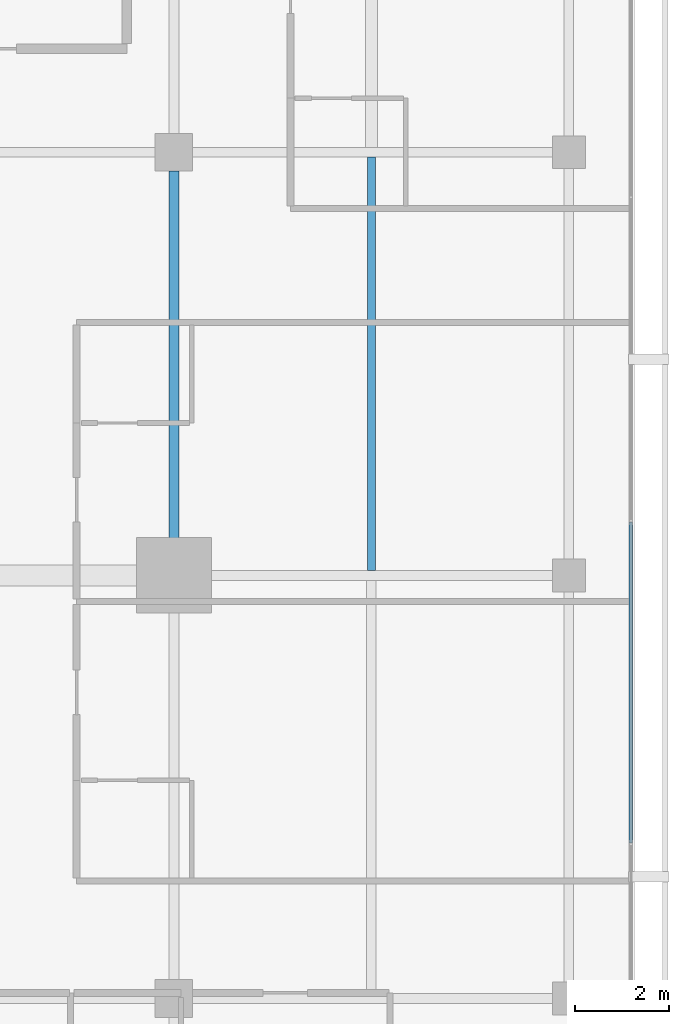
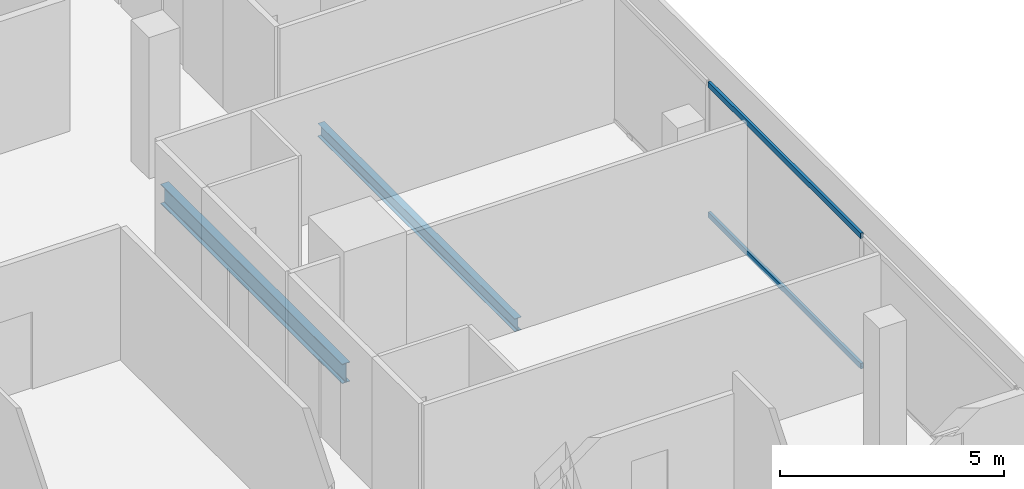
# One storey, part 13 of 25: 2 beams, 2 members, 1 element without a shape of its own.
"""IFC4 building model written with IfcOpenShell, lengths in metres."""

from ifc_helpers import new_model, si_unit, direction, frame, origin, origin_2d, place, context, subcontext, project, spatial, hollow_rectangle, i_section, extrude, material, layer, layer_set, material_profile, profile_set, type_object, element, aggregate, save


model = new_model("IFC4")

# Units and contexts
model_context = context("Model", 3, precision=1e-05, world=origin(), true_north=direction((0.0, 1.0)))
body_context = subcontext(model_context, "Body", "Model", "MODEL_VIEW")
ifc_project = project(units=[si_unit("LENGTHUNIT", "METRE"), si_unit("AREAUNIT", "SQUARE_METRE"), si_unit("VOLUMEUNIT", "CUBIC_METRE"), si_unit("PLANEANGLEUNIT", "RADIAN"), si_unit("MASSUNIT", "GRAM", prefix="KILO")], contexts=[model_context])

# Site, building, storey
site_placement = place(None, origin())
site = spatial("IfcSite", under=ifc_project, at=site_placement, CompositionType="ELEMENT")
building_placement = place(site_placement, origin())
building = spatial("IfcBuilding", under=site, at=building_placement, Name="Maruvema Waterfront Hotel and Observation Tower", CompositionType="ELEMENT")
storey_placement = place(building_placement, frame((0.0, 0.0, 262.5)))
storey = spatial("IfcBuildingStorey", under=building, at=storey_placement, Name="L64", CompositionType="ELEMENT", Elevation=262.5)

# Curtain wall, members
ifc_material_1 = material(Name="Anodised bronze aluminium and solar-control low-E IGU", Category="aluminium")
ifc_layer = layer(ifc_material_1, 0.159912109375, Name="Zone 3 Champagne Inner Thermal Curtain Wall System CW-04")
ifc_layer_set = layer_set([ifc_layer], Name="Anodised bronze aluminium and solar-control low-E IGU")
curtain_wall_type = type_object("IfcCurtainWallType", Name="Zone 3 Champagne Inner Thermal Curtain Wall System CW-04", PredefinedType="USERDEFINED", material=ifc_layer_set)
curtain_wall_placement = place(storey_placement, origin())
curtain_wall = element("IfcCurtainWall", 1, at=curtain_wall_placement, inside=storey, type_object=curtain_wall_type, Name="L64 Curtain Wall CW-L64-E", ObjectType="UNITISED CURTAIN WALL", PredefinedType="USERDEFINED")
ifc_material_2 = material(Name="Anodised architectural bronze aluminium", Category="aluminium")
ifc_material_profile_1 = material_profile(ifc_material_2, hollow_rectangle(XDim=0.070068359375, YDim=0.14990234375, WallThickness=0.00390625, at=origin_2d()), Name="ALU-T70x150")
ifc_profile_set_1 = profile_set([ifc_material_profile_1], Name="Anodised architectural bronze aluminium")
member_type = type_object("IfcMemberType", Name="Curtain Wall Horizontal Transom ALU-T70x150", PredefinedType="USERDEFINED", material=ifc_profile_set_1)
member_1_placement = place(storey_placement, frame((60.1201171875, 21.31005859375, 0.030029296875), z_axis=(0.0, 1.0, 0.0), x_axis=(-1.0, 0.0, 0.0)))
member_1 = element("IfcMember", 2, at=member_1_placement, type_object=member_type, Name="CW-04 transom 2.1", ObjectType="TRANSOM", PredefinedType="USERDEFINED", context=body_context, shape_type="SweptSolid", body=[
    extrude(hollow_rectangle(XDim=0.070068359375, YDim=0.14990234375, WallThickness=0.00390625, at=origin_2d()), origin(), (0.0, 0.0, 1.0), 6.81982421875),
])
member_2_placement = place(storey_placement, frame((60.1201171875, 21.31005859375, 3.580078125), z_axis=(0.0, 1.0, 0.0), x_axis=(-1.0, 0.0, 0.0)))
member_2 = element("IfcMember", 3, at=member_2_placement, type_object=member_type, Name="CW-04 transom 2.2", ObjectType="TRANSOM", PredefinedType="USERDEFINED", context=body_context, shape_type="SweptSolid", body=[
    extrude(hollow_rectangle(XDim=0.070068359375, YDim=0.14990234375, WallThickness=0.00390625, at=origin_2d()), origin(), (0.0, 0.0, 1.0), 6.81982421875),
])
aggregate(curtain_wall, [member_1, member_2])

# Beams
ifc_material_3 = material(Name="Steel ASTM A572 Grade 50", Category="steel")
ifc_material_profile_2 = material_profile(ifc_material_3, i_section(OverallWidth=0.208984375, OverallDepth=0.532958984375, WebThickness=0.01025390625, FlangeThickness=0.015625, FilletRadius=0.014892578125, at=origin_2d()), Name="W530x92.0")
ifc_profile_set_2 = profile_set([ifc_material_profile_2], Name="Steel ASTM A572 Grade 50")
beam_type_1 = type_object("IfcBeamType", Name="Primary Floor Girder W530x92.0", PredefinedType="BEAM", material=ifc_profile_set_2)
beam_1_placement = place(storey_placement, frame((50.39990234375, 27.5, -0.506591796875), z_axis=(0.0, 1.0, 0.0), x_axis=(-1.0, 0.0, 0.0)))
element("IfcBeam", 4, at=beam_1_placement, inside=storey, type_object=beam_type_1, Name="L64 Floor Girder NS-14", PredefinedType="BEAM", context=body_context, shape_type="SweptSolid", body=[
    extrude(i_section(OverallWidth=0.208984375, OverallDepth=0.532958984375, WebThickness=0.01025390625, FlangeThickness=0.015625, FilletRadius=0.014892578125, at=origin_2d()), origin(), (0.0, 0.0, 1.0), 8.10009765625),
])
ifc_material_4 = material(Name="Steel ASTM A572 Grade 50", Category="steel")
ifc_material_profile_3 = material_profile(ifc_material_4, i_section(OverallWidth=0.1708984375, OverallDepth=0.35498046875, WebThickness=0.007080078125, FlangeThickness=0.01171875, FilletRadius=0.014892578125, at=origin_2d()), Name="W360x51.0")
ifc_profile_set_3 = profile_set([ifc_material_profile_3], Name="Steel ASTM A572 Grade 50")
beam_type_2 = type_object("IfcBeamType", Name="Secondary Floor Joist W360x51.0", PredefinedType="JOIST", material=ifc_profile_set_3)
beam_2_placement = place(storey_placement, frame((54.60009765625, 27.1044921875, -0.41748046875), z_axis=(0.0, 1.0, 0.0), x_axis=(-1.0, 0.0, 0.0)))
element("IfcBeam", 5, at=beam_2_placement, inside=storey, type_object=beam_type_2, Name="L64 Secondary Floor Joist JS-08", PredefinedType="JOIST", context=body_context, shape_type="SweptSolid", body=[
    extrude(i_section(OverallWidth=0.1708984375, OverallDepth=0.35498046875, WebThickness=0.007080078125, FlangeThickness=0.01171875, FilletRadius=0.014892578125, at=origin_2d()), origin(), (0.0, 0.0, 1.0), 8.791015625),
])

save(model, "model.ifc")
